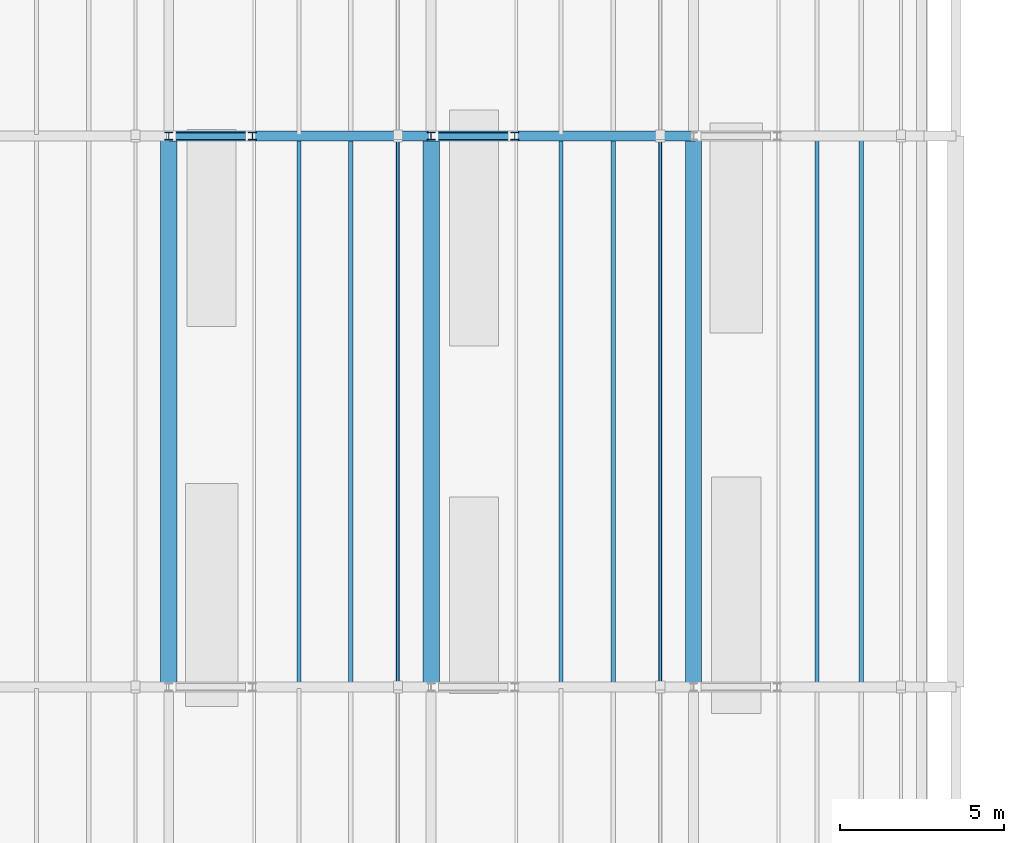
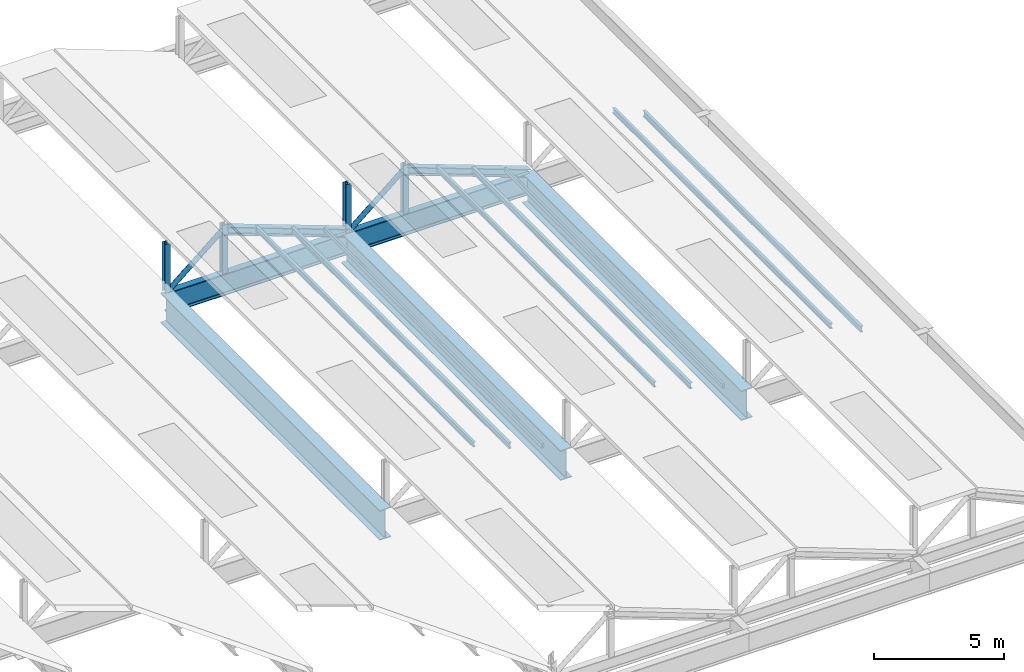
# One storey, part 5 of 14: 16 members, 5 beams.
"""IFC4 building model written with IfcOpenShell, lengths in metres."""

from ifc_helpers import new_model, si_unit, direction, frame, origin, origin_2d, place, context, subcontext, project, spatial, hollow_rectangle, hollow_circle, i_section, extrude, material, material_profile, profile_set, type_object, element, save


model = new_model("IFC4")

# Units and contexts
model_context = context("Model", 3, precision=1e-05, world=origin(), true_north=direction((0.0, 1.0)))
body_context = subcontext(model_context, "Body", "Model", "MODEL_VIEW")
ifc_project = project(units=[si_unit("LENGTHUNIT", "METRE"), si_unit("AREAUNIT", "SQUARE_METRE"), si_unit("VOLUMEUNIT", "CUBIC_METRE"), si_unit("PLANEANGLEUNIT", "RADIAN"), si_unit("MASSUNIT", "GRAM", prefix="KILO")], contexts=[model_context])

# Site, building, storey
site_placement = place(None, origin())
site = spatial("IfcSite", under=ifc_project, at=site_placement, CompositionType="ELEMENT")
building_placement = place(site_placement, origin())
building = spatial("IfcBuilding", under=site, at=building_placement, Name="Vekula Escarpment Museum", CompositionType="ELEMENT")
storey_placement = place(building_placement, frame((0.0, 0.0, 30.60009765625)))
storey = spatial("IfcBuildingStorey", under=building, at=storey_placement, Name="RF", CompositionType="ELEMENT", Elevation=30.60009765625)

# Beams
ifc_material_1 = material(Name="Steel S355", Category="steel")
ifc_material_profile_1 = material_profile(ifc_material_1, i_section(OverallWidth=0.300048828125, OverallDepth=1.0, WebThickness=0.01904296875, FlangeThickness=0.035888671875, FilletRadius=0.030029296875, at=origin_2d()), Name="HEB 1000")
ifc_profile_set_1 = profile_set([ifc_material_profile_1], Name="Steel S355")
beam_type_1 = type_object("IfcBeamType", Name="BM-TRUSS-CHORD-BOT", PredefinedType="BEAM", material=ifc_profile_set_1)
for number, where, z_axis, x_axis, name in (
    (1, (102.0, 76.39990234375, -2.75), (1.0, 0.0, 0.0), (0.0, 1.0, 0.0), "Roof Tie Girder RF 2448"),
    (2, (110.0, 76.39990234375, -2.75), (1.0, 0.0, 0.0), (0.0, 1.0, 0.0), "Roof Tie Girder RF 2449"),
):
    element("IfcBeam", number, at=place(storey_placement, frame(where, z_axis=z_axis, x_axis=x_axis)), inside=storey, type_object=beam_type_1, Name=name, PredefinedType="BEAM", context=body_context, shape_type="SweptSolid", body=[
        extrude(i_section(OverallWidth=0.300048828125, OverallDepth=1.0, WebThickness=0.01904296875, FlangeThickness=0.035888671875, FilletRadius=0.030029296875, at=origin_2d()), origin(), (0.0, 0.0, 1.0), 8.0),
    ])
ifc_material_2 = material(Name="Steel S355", Category="steel")
ifc_material_profile_2 = material_profile(ifc_material_2, i_section(OverallWidth=0.5, OverallDepth=1.39990234375, WebThickness=0.02392578125, FlangeThickness=0.0400390625, FilletRadius=0.02392578125, at=origin_2d()), Name="WPG 1400x500")
ifc_profile_set_2 = profile_set([ifc_material_profile_2], Name="Steel S355")
beam_type_2 = type_object("IfcBeamType", Name="BM-TRUSS-CHORD-TOP", PredefinedType="BEAM", material=ifc_profile_set_2)
for number, where, z_axis, x_axis, name in (
    (3, (102.0, 59.60009765625, -2.9501953125), (0.0, 1.0, 0.0), (-1.0, 0.0, 0.0), "Sawtooth Tie Girder RF 2487"),
    (4, (110.0, 59.60009765625, -2.9501953125), (0.0, 1.0, 0.0), (-1.0, 0.0, 0.0), "Sawtooth Tie Girder RF 2490"),
    (5, (118.0, 59.60009765625, -2.9501953125), (0.0, 1.0, 0.0), (-1.0, 0.0, 0.0), "Sawtooth Tie Girder RF 2493"),
):
    element("IfcBeam", number, at=place(storey_placement, frame(where, z_axis=z_axis, x_axis=x_axis)), inside=storey, type_object=beam_type_2, Name=name, PredefinedType="BEAM", context=body_context, shape_type="SweptSolid", body=[
        extrude(i_section(OverallWidth=0.5, OverallDepth=1.39990234375, WebThickness=0.02392578125, FlangeThickness=0.0400390625, FilletRadius=0.02392578125, at=origin_2d()), origin(), (0.0, 0.0, 1.0), 16.7998046875),
    ])

# Members
ifc_material_3 = material(Name="Steel S355", Category="steel")
ifc_material_profile_3 = material_profile(ifc_material_3, i_section(OverallWidth=0.1201171875, OverallDepth=0.239990234375, WebThickness=0.006103515625, FlangeThickness=0.009765625, FilletRadius=0.014892578125, at=origin_2d()), Name="IPE 240")
ifc_profile_set_3 = profile_set([ifc_material_profile_3], Name="Steel S355")
member_type_1 = type_object("IfcMemberType", Name="MB-PURL-IPE240", PredefinedType="PURLIN", material=ifc_profile_set_3)
for number, where, z_axis, x_axis, name in (
    (6, (105.965087890625, 59.64990234375, -0.66015625), (0.0, 1.0, 0.0), (-1.0, 0.0, 0.0), "Sawtooth Roof Purlin 058"),
    (7, (113.965087890625, 59.64990234375, -0.66015625), (0.0, 1.0, 0.0), (-1.0, 0.0, 0.0), "Sawtooth Roof Purlin 071"),
    (8, (121.764892578125, 59.64990234375, -0.66015625), (0.0, 1.0, 0.0), (-1.0, 0.0, 0.0), "Sawtooth Roof Purlin 084"),
):
    element("IfcMember", number, at=place(storey_placement, frame(where, z_axis=z_axis, x_axis=x_axis)), inside=storey, type_object=member_type_1, Name=name, PredefinedType="PURLIN", context=body_context, shape_type="SweptSolid", body=[
        extrude(i_section(OverallWidth=0.1201171875, OverallDepth=0.239990234375, WebThickness=0.006103515625, FlangeThickness=0.009765625, FilletRadius=0.014892578125, at=origin_2d()), origin(), (0.0, 0.0, 1.0), 16.7001953125),
    ])
ifc_material_4 = material(Name="Steel S355", Category="steel")
ifc_material_profile_4 = material_profile(ifc_material_4, i_section(OverallWidth=0.135009765625, OverallDepth=0.27001953125, WebThickness=0.006591796875, FlangeThickness=0.01025390625, FilletRadius=0.014892578125, at=origin_2d()), Name="IPE 270")
ifc_profile_set_4 = profile_set([ifc_material_profile_4], Name="Steel S355")
member_type_2 = type_object("IfcMemberType", Name="MB-PURL-IPE270", PredefinedType="PURLIN", material=ifc_profile_set_4)
for number, where, z_axis, x_axis, name in (
    (9, (107.554931640625, 59.64990234375, -1.275146484375), (0.0, 1.0, 0.0), (-1.0, 0.0, 0.0), "Sawtooth Roof Purlin 061"),
    (10, (115.554931640625, 59.64990234375, -1.275146484375), (0.0, 1.0, 0.0), (-1.0, 0.0, 0.0), "Sawtooth Roof Purlin 074"),
    (11, (123.114990234375, 59.64990234375, -1.275146484375), (0.0, 1.0, 0.0), (-1.0, 0.0, 0.0), "Sawtooth Roof Purlin 087"),
):
    element("IfcMember", number, at=place(storey_placement, frame(where, z_axis=z_axis, x_axis=x_axis)), inside=storey, type_object=member_type_2, Name=name, PredefinedType="PURLIN", context=body_context, shape_type="SweptSolid", body=[
        extrude(i_section(OverallWidth=0.135009765625, OverallDepth=0.27001953125, WebThickness=0.006591796875, FlangeThickness=0.01025390625, FilletRadius=0.014892578125, at=origin_2d()), origin(), (0.0, 0.0, 1.0), 16.7001953125),
    ])
ifc_material_5 = material(Name="Steel S355", Category="steel")
ifc_material_profile_5 = material_profile(ifc_material_5, hollow_rectangle(XDim=0.10009765625, YDim=0.199951171875, WallThickness=0.008056640625, InnerFilletRadius=0.008056640625, OuterFilletRadius=0.01611328125, at=origin_2d()), Name="RHS 200x100x8")
ifc_profile_set_5 = profile_set([ifc_material_profile_5], Name="Steel S355")
member_type_3 = type_object("IfcMemberType", Name="MB-PURL-RHS200", PredefinedType="PURLIN", material=ifc_profile_set_5)
for number, where, z_axis, x_axis, name in (
    (12, (108.986083984375, 59.64990234375, -1.780029296875), (0.0, 1.0, 0.0), (-1.0, 0.0, 0.0), "Sawtooth Roof Purlin 064"),
    (13, (116.986083984375, 59.64990234375, -1.780029296875), (0.0, 1.0, 0.0), (-1.0, 0.0, 0.0), "Sawtooth Roof Purlin 077"),
):
    element("IfcMember", number, at=place(storey_placement, frame(where, z_axis=z_axis, x_axis=x_axis)), inside=storey, type_object=member_type_3, Name=name, PredefinedType="PURLIN", context=body_context, shape_type="SweptSolid", body=[
        extrude(hollow_rectangle(XDim=0.10009765625, YDim=0.199951171875, WallThickness=0.008056640625, InnerFilletRadius=0.008056640625, OuterFilletRadius=0.01611328125, at=origin_2d()), origin(), (0.0, 0.0, 1.0), 16.7001953125),
    ])
ifc_material_6 = material(Name="Steel S355", Category="steel")
ifc_material_profile_6 = material_profile(ifc_material_6, i_section(OverallWidth=0.300048828125, OverallDepth=0.360107421875, WebThickness=0.012451171875, FlangeThickness=0.0224609375, FilletRadius=0.027099609375, at=origin_2d()), Name="HEB 360")
ifc_profile_set_6 = profile_set([ifc_material_profile_6], Name="Steel S355")
member_type_4 = type_object("IfcMemberType", Name="MB-SAW-CHORD", PredefinedType="CHORD", material=ifc_profile_set_6)
for number, where, z_axis, x_axis, name in (
    (14, (104.550048828125, 76.39990234375, -0.260009765625), (0.938223943436, 0.0, -0.346028657721), (0.0, 1.0, 0.0), "Sawtooth Rafter 055"),
    (15, (112.550048828125, 76.39990234375, -0.260009765625), (0.938223943436, 0.0, -0.346028657721), (0.0, 1.0, 0.0), "Sawtooth Rafter 068"),
):
    element("IfcMember", number, at=place(storey_placement, frame(where, z_axis=z_axis, x_axis=x_axis)), inside=storey, type_object=member_type_4, Name=name, PredefinedType="CHORD", context=body_context, shape_type="SweptSolid", body=[
        extrude(i_section(OverallWidth=0.300048828125, OverallDepth=0.360107421875, WebThickness=0.012451171875, FlangeThickness=0.0224609375, FilletRadius=0.027099609375, at=origin_2d()), origin(), (0.0, 0.0, 1.0), 5.808837890625),
    ])
ifc_material_7 = material(Name="Steel S355", Category="steel")
ifc_material_profile_7 = material_profile(ifc_material_7, hollow_circle(Radius=0.109619140625, WallThickness=0.010009765625, at=origin_2d()), Name="CHS 219.1x10")
ifc_profile_set_7 = profile_set([ifc_material_profile_7], Name="Steel S355")
member_type_5 = type_object("IfcMemberType", Name="MB-SAW-DIAG", PredefinedType="BRACE", material=ifc_profile_set_7)
for number, where, z_axis, x_axis, name in (
    (16, (102.080078125, 76.39990234375, -2.27001953125), (0.767947002011, 0.0, 0.64051338948), (0.0, 1.0, 0.0), "Sawtooth Roof Truss Diagonal 055"),
    (17, (110.080078125, 76.39990234375, -2.27001953125), (0.767947002011, 0.0, 0.64051338948), (0.0, 1.0, 0.0), "Sawtooth Roof Truss Diagonal 068"),
):
    element("IfcMember", number, at=place(storey_placement, frame(where, z_axis=z_axis, x_axis=x_axis)), inside=storey, type_object=member_type_5, Name=name, PredefinedType="BRACE", context=body_context, shape_type="SweptSolid", body=[
        extrude(hollow_circle(Radius=0.109619140625, WallThickness=0.010009765625, at=origin_2d()), origin(), (0.0, 0.0, 1.0), 3.13818359375),
    ])
ifc_material_8 = material(Name="Steel S355", Category="steel")
ifc_material_profile_8 = material_profile(ifc_material_8, i_section(OverallWidth=0.239990234375, OverallDepth=0.239990234375, WebThickness=0.010009765625, FlangeThickness=0.01708984375, FilletRadius=0.02099609375, at=origin_2d()), Name="HEB 240")
ifc_profile_set_8 = profile_set([ifc_material_profile_8], Name="Steel S355")
member_type_6 = type_object("IfcMemberType", Name="MB-SAW-POST", PredefinedType="STRUT", material=ifc_profile_set_8)
for number, where, z_axis, x_axis, name in (
    (18, (102.0, 76.39990234375, -2.27001953125), (0.0, 0.0, 1.0), (1.0, 0.0, 0.0), "Sawtooth North Post 055"),
    (19, (104.550048828125, 76.39990234375, -2.27001953125), (0.0, 0.0, 1.0), (1.0, 0.0, 0.0), "Sawtooth Monitor Post 055"),
    (20, (110.0, 76.39990234375, -2.27001953125), (0.0, 0.0, 1.0), (1.0, 0.0, 0.0), "Sawtooth North Post 068"),
    (21, (112.550048828125, 76.39990234375, -2.27001953125), (0.0, 0.0, 1.0), (1.0, 0.0, 0.0), "Sawtooth Monitor Post 068"),
):
    element("IfcMember", number, at=place(storey_placement, frame(where, z_axis=z_axis, x_axis=x_axis)), inside=storey, type_object=member_type_6, Name=name, PredefinedType="STRUT", context=body_context, shape_type="SweptSolid", body=[
        extrude(i_section(OverallWidth=0.239990234375, OverallDepth=0.239990234375, WebThickness=0.010009765625, FlangeThickness=0.01708984375, FilletRadius=0.02099609375, at=origin_2d()), origin(), (0.0, 0.0, 1.0), 2.2900390625),
    ])

save(model, "model.ifc")
